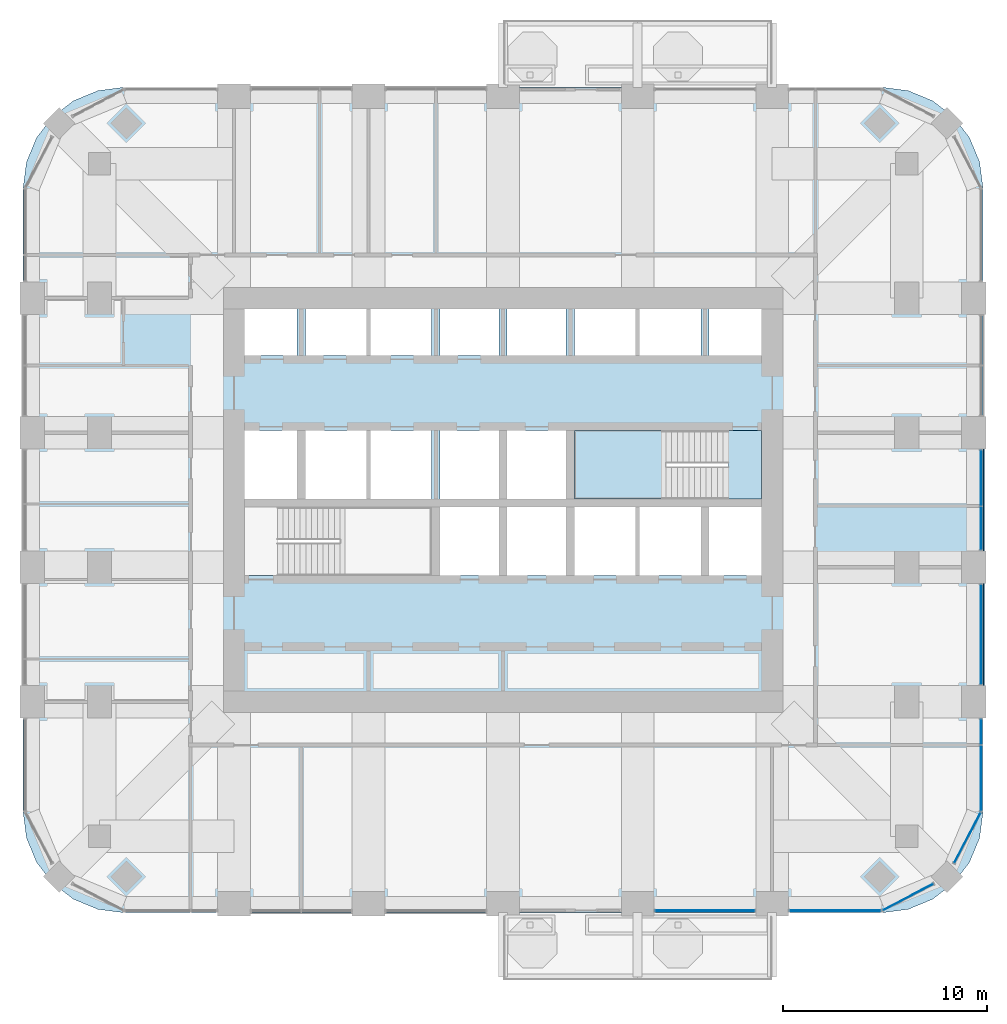
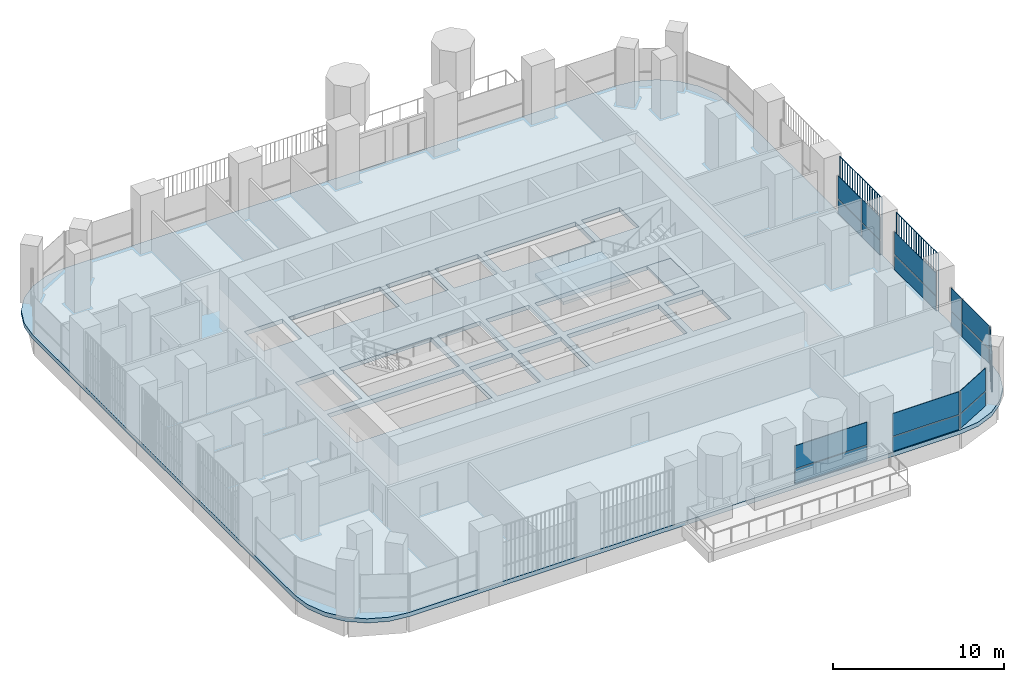
# One storey, part 10 of 19: 20 plates, 3 slabs, 8 elements without a shape of their own.
"""IFC4 building model written with IfcOpenShell, lengths in metres."""

from ifc_helpers import new_model, si_unit, direction, frame, origin, origin_2d, place, context, subcontext, project, spatial, polyline, rectangle, outline, extrude, material, layer, layer_set, type_object, element, aggregate, save


model = new_model("IFC4")

# Units and contexts
model_context = context("Model", 3, precision=1e-05, world=origin(), true_north=direction((0.0, 1.0)))
body_context = subcontext(model_context, "Body", "Model", "MODEL_VIEW")
ifc_project = project(units=[si_unit("LENGTHUNIT", "METRE"), si_unit("AREAUNIT", "SQUARE_METRE"), si_unit("VOLUMEUNIT", "CUBIC_METRE"), si_unit("PLANEANGLEUNIT", "RADIAN"), si_unit("MASSUNIT", "GRAM", prefix="KILO")], contexts=[model_context])

# Site, building, storey
site_placement = place(None, origin())
site = spatial("IfcSite", under=ifc_project, at=site_placement, CompositionType="ELEMENT")
building_placement = place(site_placement, origin())
building = spatial("IfcBuilding", under=site, at=building_placement, Name="Cobogo Forest Laboratory Tower", CompositionType="ELEMENT")
storey_placement = place(building_placement, frame((0.0, 0.0, 206.10009765625)))
storey = spatial("IfcBuildingStorey", under=building, at=storey_placement, Name="L47", CompositionType="ELEMENT", Elevation=206.10009765625)

# Slab
ifc_material_1 = material(Name="Concrete HA-40 (C40/50)", Category="concrete")
ifc_layer_1 = layer(ifc_material_1, 0.300048828125)
ifc_layer_set_1 = layer_set([ifc_layer_1], Name="Floor slab 300")
slab_type_1 = type_object("IfcSlabType", Name="Floor slab 300", PredefinedType="FLOOR", material=ifc_layer_set_1)
slab_1_placement = place(storey_placement, frame((0.0, 0.0, -0.300048828125)))
element("IfcSlab", 1, at=slab_1_placement, inside=storey, type_object=slab_type_1, Name="L47 floor slab", PredefinedType="FLOOR", context=body_context, shape_type="SweptSolid", body=[
    extrude(outline(polyline([(45.0, 2.85009765625), (46.28125, 3.0185546875), (47.47509765625, 3.51318359375), (48.500244140625, 4.2998046875), (49.286865234375, 5.324951171875), (49.78125, 6.518798828125), (49.949951171875, 7.800048828125), (49.949951171875, 38.39990234375), (49.78125, 39.68115234375), (49.286865234375, 40.875), (48.500244140625, 41.900146484375), (47.47509765625, 42.686767578125), (46.28125, 43.181396484375), (45.0, 43.35009765625), (7.800048828125, 43.35009765625), (6.518798828125, 43.181396484375), (5.324951171875, 42.686767578125), (4.2998046875, 41.900146484375), (3.51318359375, 40.875), (3.0185546875, 39.68115234375), (2.85009765625, 38.39990234375), (2.85009765625, 7.800048828125), (3.0185546875, 6.518798828125), (3.51318359375, 5.324951171875), (4.2998046875, 4.2998046875), (5.324951171875, 3.51318359375), (6.518798828125, 3.0185546875), (7.800048828125, 2.85009765625), (45.0, 2.85009765625)]), holes=[polyline([(22.89990234375, 19.39990234375), (13.72509765625, 19.39990234375), (13.72509765625, 22.75), (22.89990234375, 22.75), (22.89990234375, 19.39990234375)]), polyline([(26.199951171875, 19.39990234375), (23.300048828125, 19.39990234375), (23.300048828125, 22.75), (26.199951171875, 22.75), (26.199951171875, 19.39990234375)]), polyline([(29.5, 19.39990234375), (26.60009765625, 19.39990234375), (26.60009765625, 22.75), (29.5, 22.75), (29.5, 19.39990234375)]), polyline([(36.10009765625, 22.75), (36.10009765625, 19.39990234375), (29.89990234375, 19.39990234375), (29.89990234375, 22.75), (36.10009765625, 22.75)]), polyline([(36.5, 19.39990234375), (36.5, 22.75), (39.074951171875, 22.75), (39.074951171875, 19.39990234375), (36.5, 19.39990234375)]), polyline([(16.300048828125, 23.14990234375), (13.72509765625, 23.14990234375), (13.72509765625, 26.5), (16.300048828125, 26.5), (16.300048828125, 23.14990234375)]), polyline([(22.89990234375, 26.5), (22.89990234375, 23.14990234375), (16.699951171875, 23.14990234375), (16.699951171875, 26.5), (22.89990234375, 26.5)]), polyline([(26.199951171875, 23.14990234375), (23.300048828125, 23.14990234375), (23.300048828125, 26.5), (26.199951171875, 26.5), (26.199951171875, 23.14990234375)]), polyline([(26.60009765625, 23.14990234375), (26.60009765625, 26.5), (29.5, 26.5), (29.5, 23.14990234375), (26.60009765625, 23.14990234375)]), polyline([(39.074951171875, 23.14990234375), (29.89990234375, 23.14990234375), (29.89990234375, 26.5), (39.074951171875, 26.5), (39.074951171875, 23.14990234375)]), polyline([(16.300048828125, 30.199951171875), (13.72509765625, 30.199951171875), (13.72509765625, 32.47509765625), (16.300048828125, 32.47509765625), (16.300048828125, 30.199951171875)]), polyline([(22.89990234375, 32.47509765625), (22.89990234375, 30.199951171875), (16.699951171875, 30.199951171875), (16.699951171875, 32.47509765625), (22.89990234375, 32.47509765625)]), polyline([(23.300048828125, 30.199951171875), (23.300048828125, 32.47509765625), (26.199951171875, 32.47509765625), (26.199951171875, 30.199951171875), (23.300048828125, 30.199951171875)]), polyline([(29.5, 30.199951171875), (26.60009765625, 30.199951171875), (26.60009765625, 32.47509765625), (29.5, 32.47509765625), (29.5, 30.199951171875)]), polyline([(36.10009765625, 32.47509765625), (36.10009765625, 30.199951171875), (29.89990234375, 30.199951171875), (29.89990234375, 32.47509765625), (36.10009765625, 32.47509765625)]), polyline([(36.5, 30.199951171875), (36.5, 32.47509765625), (39.074951171875, 32.47509765625), (39.074951171875, 30.199951171875), (36.5, 30.199951171875)])]), origin(), (0.0, 0.0, 1.0), 0.300048828125),
])

# Curtain wall, plates
ifc_material_2 = material(Name="Aluminium curtain wall", Category="aluminium")
curtain_wall_type = type_object("IfcCurtainWallType", Name="CW-2 unitised curtain wall, solar control glazing, laboratory floors zones C and D", PredefinedType="USERDEFINED", material=ifc_material_2)
curtain_wall_1_placement = place(storey_placement, origin())
curtain_wall_1 = element("IfcCurtainWall", 2, at=curtain_wall_1_placement, inside=storey, type_object=curtain_wall_type, Name="Curtain wall 05 L47", ObjectType="UNITISED CURTAIN WALL", PredefinedType="USERDEFINED")
ifc_material_3 = material(Name="Solar control insulated glass", Category="glass")
ifc_layer_2 = layer(ifc_material_3, 0.031982421875)
ifc_layer_set_2 = layer_set([ifc_layer_2], Name="GP-2 solar control glass unit 32")
plate_type_1 = type_object("IfcPlateType", Name="GP-2 solar control glass unit 32", PredefinedType="CURTAIN_PANEL", material=ifc_layer_set_2)
plate_1_placement = place(storey_placement, frame((36.300048828125, 2.949951171875, 0.0), z_axis=(0.0, 0.0, 1.0), x_axis=(1.0, 0.0, 0.0)))
plate_1 = element("IfcPlate", 3, at=plate_1_placement, type_object=plate_type_1, Name="CW-2 panel 1.1", PredefinedType="CURTAIN_PANEL", context=body_context, shape_type="SweptSolid", body=[
    extrude(rectangle(XDim=4.8798828125, YDim=0.031982421875, at=origin_2d()), origin(), (0.0, 0.0, 1.0), 1.02001953125),
])
plate_2_placement = place(storey_placement, frame((36.300048828125, 2.949951171875, 1.079833984375), z_axis=(0.0, 0.0, 1.0), x_axis=(1.0, 0.0, 0.0)))
plate_2 = element("IfcPlate", 4, at=plate_2_placement, type_object=plate_type_1, Name="CW-2 panel 1.2", PredefinedType="CURTAIN_PANEL", context=body_context, shape_type="SweptSolid", body=[
    extrude(rectangle(XDim=4.8798828125, YDim=0.031982421875, at=origin_2d()), origin(), (0.0, 0.0, 1.0), 1.6201171875),
])
aggregate(curtain_wall_1, [plate_1, plate_2])

curtain_wall_2_placement = place(storey_placement, origin())
curtain_wall_2 = element("IfcCurtainWall", 5, at=curtain_wall_2_placement, inside=storey, type_object=curtain_wall_type, Name="Curtain wall 06 L47", ObjectType="UNITISED CURTAIN WALL", PredefinedType="USERDEFINED")
plate_3_placement = place(storey_placement, frame((42.699951171875, 2.949951171875, 0.0), z_axis=(0.0, 0.0, 1.0), x_axis=(1.0, 0.0, 0.0)))
plate_3 = element("IfcPlate", 6, at=plate_3_placement, type_object=plate_type_1, Name="CW-2 panel 1.1", PredefinedType="CURTAIN_PANEL", context=body_context, shape_type="SweptSolid", body=[
    extrude(rectangle(XDim=4.47998046875, YDim=0.031982421875, at=origin_2d()), origin(), (0.0, 0.0, 1.0), 1.02001953125),
])
plate_4_placement = place(storey_placement, frame((42.699951171875, 2.949951171875, 1.079833984375), z_axis=(0.0, 0.0, 1.0), x_axis=(1.0, 0.0, 0.0)))
plate_4 = element("IfcPlate", 7, at=plate_4_placement, type_object=plate_type_1, Name="CW-2 panel 1.2", PredefinedType="CURTAIN_PANEL", context=body_context, shape_type="SweptSolid", body=[
    extrude(rectangle(XDim=4.47998046875, YDim=0.031982421875, at=origin_2d()), origin(), (0.0, 0.0, 1.0), 1.6201171875),
])
aggregate(curtain_wall_2, [plate_3, plate_4])

curtain_wall_3_placement = place(storey_placement, origin())
curtain_wall_3 = element("IfcCurtainWall", 8, at=curtain_wall_3_placement, inside=storey, type_object=curtain_wall_type, Name="Curtain wall 07 L47", ObjectType="UNITISED CURTAIN WALL", PredefinedType="USERDEFINED")
plate_5_placement = place(storey_placement, frame((46.275634765625, 3.61865234375, 0.0), z_axis=(0.0, 0.0, 1.0), x_axis=(0.885686484356, 0.464283804832, 0.0)))
plate_5 = element("IfcPlate", 9, at=plate_5_placement, type_object=plate_type_1, Name="CW-2 panel 1.1", PredefinedType="CURTAIN_PANEL", context=body_context, shape_type="SweptSolid", body=[
    extrude(rectangle(XDim=2.76025390625, YDim=0.031982421875, at=origin_2d()), origin(), (0.0, 0.0, 1.0), 1.02001953125),
])
plate_6_placement = place(storey_placement, frame((46.275634765625, 3.61865234375, 1.079833984375), z_axis=(0.0, 0.0, 1.0), x_axis=(0.885686484356, 0.464283804832, 0.0)))
plate_6 = element("IfcPlate", 10, at=plate_6_placement, type_object=plate_type_1, Name="CW-2 panel 1.2", PredefinedType="CURTAIN_PANEL", context=body_context, shape_type="SweptSolid", body=[
    extrude(rectangle(XDim=2.76025390625, YDim=0.031982421875, at=origin_2d()), origin(), (0.0, 0.0, 1.0), 1.6201171875),
])
aggregate(curtain_wall_3, [plate_5, plate_6])

curtain_wall_4_placement = place(storey_placement, origin())
curtain_wall_4 = element("IfcCurtainWall", 11, at=curtain_wall_4_placement, inside=storey, type_object=curtain_wall_type, Name="Curtain wall 08 L47", ObjectType="UNITISED CURTAIN WALL", PredefinedType="USERDEFINED")
plate_7_placement = place(storey_placement, frame((49.181396484375, 6.5244140625, 0.0), z_axis=(0.0, 0.0, 1.0), x_axis=(0.464283804832, 0.885686484356, 0.0)))
plate_7 = element("IfcPlate", 12, at=plate_7_placement, type_object=plate_type_1, Name="CW-2 panel 1.1", PredefinedType="CURTAIN_PANEL", context=body_context, shape_type="SweptSolid", body=[
    extrude(rectangle(XDim=2.76025390625, YDim=0.031982421875, at=origin_2d()), origin(), (0.0, 0.0, 1.0), 1.02001953125),
])
plate_8_placement = place(storey_placement, frame((49.181396484375, 6.5244140625, 1.079833984375), z_axis=(0.0, 0.0, 1.0), x_axis=(0.464283804832, 0.885686484356, 0.0)))
plate_8 = element("IfcPlate", 13, at=plate_8_placement, type_object=plate_type_1, Name="CW-2 panel 1.2", PredefinedType="CURTAIN_PANEL", context=body_context, shape_type="SweptSolid", body=[
    extrude(rectangle(XDim=2.76025390625, YDim=0.031982421875, at=origin_2d()), origin(), (0.0, 0.0, 1.0), 1.6201171875),
])
aggregate(curtain_wall_4, [plate_7, plate_8])

curtain_wall_5_placement = place(storey_placement, origin())
curtain_wall_5 = element("IfcCurtainWall", 14, at=curtain_wall_5_placement, inside=storey, type_object=curtain_wall_type, Name="Curtain wall 09 L47", ObjectType="UNITISED CURTAIN WALL", PredefinedType="USERDEFINED")
plate_9_placement = place(storey_placement, frame((49.85009765625, 9.452392578125, 0.0), z_axis=(0.0, 0.0, 1.0), x_axis=(0.0, 1.0, 0.0)))
plate_9 = element("IfcPlate", 15, at=plate_9_placement, type_object=plate_type_1, Name="CW-2 panel 1.1", PredefinedType="CURTAIN_PANEL", context=body_context, shape_type="SweptSolid", body=[
    extrude(rectangle(XDim=3.18505859375, YDim=0.031982421875, at=origin_2d()), origin(), (0.0, 0.0, 1.0), 1.02001953125),
])
plate_10_placement = place(storey_placement, frame((49.85009765625, 9.452392578125, 1.079833984375), z_axis=(0.0, 0.0, 1.0), x_axis=(0.0, 1.0, 0.0)))
plate_10 = element("IfcPlate", 16, at=plate_10_placement, type_object=plate_type_1, Name="CW-2 panel 1.2", PredefinedType="CURTAIN_PANEL", context=body_context, shape_type="SweptSolid", body=[
    extrude(rectangle(XDim=3.18505859375, YDim=0.031982421875, at=origin_2d()), origin(), (0.0, 0.0, 1.0), 1.6201171875),
])
plate_11_placement = place(storey_placement, frame((49.85009765625, 11.722412109375, 0.0), z_axis=(0.0, 0.0, 1.0), x_axis=(0.0, 1.0, 0.0)))
plate_11 = element("IfcPlate", 17, at=plate_11_placement, type_object=plate_type_1, Name="CW-2 panel 2.1", PredefinedType="CURTAIN_PANEL", context=body_context, shape_type="SweptSolid", body=[
    extrude(rectangle(XDim=1.235107421875, YDim=0.031982421875, at=origin_2d()), origin(), (0.0, 0.0, 1.0), 1.02001953125),
])
plate_12_placement = place(storey_placement, frame((49.85009765625, 11.722412109375, 1.079833984375), z_axis=(0.0, 0.0, 1.0), x_axis=(0.0, 1.0, 0.0)))
plate_12 = element("IfcPlate", 18, at=plate_12_placement, type_object=plate_type_1, Name="CW-2 panel 2.2", PredefinedType="CURTAIN_PANEL", context=body_context, shape_type="SweptSolid", body=[
    extrude(rectangle(XDim=1.235107421875, YDim=0.031982421875, at=origin_2d()), origin(), (0.0, 0.0, 1.0), 1.6201171875),
])
aggregate(curtain_wall_5, [plate_9, plate_10, plate_11, plate_12])

curtain_wall_6_placement = place(storey_placement, origin())
curtain_wall_6 = element("IfcCurtainWall", 19, at=curtain_wall_6_placement, inside=storey, type_object=curtain_wall_type, Name="Curtain wall 10 L47", ObjectType="UNITISED CURTAIN WALL", PredefinedType="USERDEFINED")
plate_13_placement = place(storey_placement, frame((49.85009765625, 16.5, 0.0), z_axis=(0.0, 0.0, 1.0), x_axis=(0.0, 1.0, 0.0)))
plate_13 = element("IfcPlate", 20, at=plate_13_placement, type_object=plate_type_1, Name="CW-2 panel 1.1", PredefinedType="CURTAIN_PANEL", context=body_context, shape_type="SweptSolid", body=[
    extrude(rectangle(XDim=4.8798828125, YDim=0.031982421875, at=origin_2d()), origin(), (0.0, 0.0, 1.0), 1.02001953125),
])
plate_14_placement = place(storey_placement, frame((49.85009765625, 16.5, 1.079833984375), z_axis=(0.0, 0.0, 1.0), x_axis=(0.0, 1.0, 0.0)))
plate_14 = element("IfcPlate", 21, at=plate_14_placement, type_object=plate_type_1, Name="CW-2 panel 1.2", PredefinedType="CURTAIN_PANEL", context=body_context, shape_type="SweptSolid", body=[
    extrude(rectangle(XDim=4.8798828125, YDim=0.031982421875, at=origin_2d()), origin(), (0.0, 0.0, 1.0), 1.6201171875),
])
aggregate(curtain_wall_6, [plate_13, plate_14])

curtain_wall_7_placement = place(storey_placement, origin())
curtain_wall_7 = element("IfcCurtainWall", 22, at=curtain_wall_7_placement, inside=storey, type_object=curtain_wall_type, Name="Curtain wall 11 L47", ObjectType="UNITISED CURTAIN WALL", PredefinedType="USERDEFINED")
plate_15_placement = place(storey_placement, frame((49.85009765625, 21.715087890625, 0.0), z_axis=(0.0, 0.0, 1.0), x_axis=(0.0, 1.0, 0.0)))
plate_15 = element("IfcPlate", 23, at=plate_15_placement, type_object=plate_type_1, Name="CW-2 panel 1.1", PredefinedType="CURTAIN_PANEL", context=body_context, shape_type="SweptSolid", body=[
    extrude(rectangle(XDim=2.110107421875, YDim=0.031982421875, at=origin_2d()), origin(), (0.0, 0.0, 1.0), 1.02001953125),
])
plate_16_placement = place(storey_placement, frame((49.85009765625, 21.715087890625, 1.079833984375), z_axis=(0.0, 0.0, 1.0), x_axis=(0.0, 1.0, 0.0)))
plate_16 = element("IfcPlate", 24, at=plate_16_placement, type_object=plate_type_1, Name="CW-2 panel 1.2", PredefinedType="CURTAIN_PANEL", context=body_context, shape_type="SweptSolid", body=[
    extrude(rectangle(XDim=2.110107421875, YDim=0.031982421875, at=origin_2d()), origin(), (0.0, 0.0, 1.0), 1.6201171875),
])
plate_17_placement = place(storey_placement, frame((49.85009765625, 24.18505859375, 0.0), z_axis=(0.0, 0.0, 1.0), x_axis=(0.0, 1.0, 0.0)))
plate_17 = element("IfcPlate", 25, at=plate_17_placement, type_object=plate_type_1, Name="CW-2 panel 2.1", PredefinedType="CURTAIN_PANEL", context=body_context, shape_type="SweptSolid", body=[
    extrude(rectangle(XDim=2.7099609375, YDim=0.031982421875, at=origin_2d()), origin(), (0.0, 0.0, 1.0), 1.02001953125),
])
plate_18_placement = place(storey_placement, frame((49.85009765625, 24.18505859375, 1.079833984375), z_axis=(0.0, 0.0, 1.0), x_axis=(0.0, 1.0, 0.0)))
plate_18 = element("IfcPlate", 26, at=plate_18_placement, type_object=plate_type_1, Name="CW-2 panel 2.2", PredefinedType="CURTAIN_PANEL", context=body_context, shape_type="SweptSolid", body=[
    extrude(rectangle(XDim=2.7099609375, YDim=0.031982421875, at=origin_2d()), origin(), (0.0, 0.0, 1.0), 1.6201171875),
])
aggregate(curtain_wall_7, [plate_15, plate_16, plate_17, plate_18])

# Stair, slabs
ifc_material_4 = material(Name="Precast concrete HA-40 (C40/50)", Category="concrete")
stair_type = type_object("IfcStairType", Name="ST24 exit stair 24 risers", PredefinedType="HALF_TURN_STAIR", material=ifc_material_4)
stair_placement = place(storey_placement, origin())
stair = element("IfcStair", 27, at=stair_placement, inside=storey, type_object=stair_type, Name="Stair 2 L47 to L48", PredefinedType="HALF_TURN_STAIR")
ifc_layer_3 = layer(ifc_material_1, 0.199951171875)
ifc_layer_set_3 = layer_set([ifc_layer_3], Name="SL stair landing 200")
slab_type_2 = type_object("IfcSlabType", Name="SL stair landing 200", PredefinedType="LANDING", material=ifc_layer_set_3)
slab_2_placement = place(storey_placement, frame((0.0, 0.0, -0.2001953125)))
slab_2 = element("IfcSlab", 28, at=slab_2_placement, type_object=slab_type_2, Name="ST2 landing 1", PredefinedType="LANDING", context=body_context, shape_type="SweptSolid", body=[
    extrude(outline(polyline([(37.472900390625, 23.14990234375), (39.074951171875, 23.14990234375), (39.074951171875, 26.5), (37.472900390625, 26.5), (37.472900390625, 23.14990234375)])), origin(), (0.0, 0.0, 1.0), 0.2001953125),
])
slab_3_placement = place(storey_placement, frame((0.0, 0.0, 1.89990234375)))
slab_3 = element("IfcSlab", 29, at=slab_3_placement, type_object=slab_type_2, Name="ST2 landing 2", PredefinedType="LANDING", context=body_context, shape_type="SweptSolid", body=[
    extrude(outline(polyline([(29.89990234375, 23.14990234375), (34.39697265625, 23.14990234375), (34.39697265625, 26.5), (29.89990234375, 26.5), (29.89990234375, 23.14990234375)])), origin(), (0.0, 0.0, 1.0), 0.199951171875),
])
aggregate(stair, [slab_2, slab_3])

# Plates
ifc_material_5 = material(Name="Terracotta", Category="masonry")
plate_type_2 = type_object("IfcPlateType", Name="TB1 terracotta baguette screen", PredefinedType="USERDEFINED", material=ifc_material_5)
plate_19_placement = place(storey_placement, frame((49.977783203125, 14.03125, -0.150146484375)))
element("IfcPlate", 30, at=plate_19_placement, inside=storey, type_object=plate_type_2, Name="Baguette screen E1 L47", ObjectType="BAGUETTE SCREEN", PredefinedType="USERDEFINED", context=body_context, shape_type="SweptSolid", body=[
    extrude(outline(polyline([(0.02880859375, 0.011962890625), (0.011962890625, 0.02880859375), (-0.011962890625, 0.02880859375), (-0.02880859375, 0.011962890625), (-0.02880859375, -0.011962890625), (-0.011962890625, -0.02880859375), (0.011962890625, -0.02880859375), (0.02880859375, -0.011962890625), (0.02880859375, 0.011962890625)])), frame((0.0, 0.0, 4.168701171875), z_axis=(0.0, 1.0, 0.0), x_axis=(-1.0, 0.0, 0.0)), (0.0, 0.0, 1.0), 4.9375),
    extrude(outline(polyline([(0.02880859375, 0.011962890625), (0.011962890625, 0.02880859375), (-0.011962890625, 0.02880859375), (-0.02880859375, 0.011962890625), (-0.02880859375, -0.011962890625), (-0.011962890625, -0.02880859375), (0.011962890625, -0.02880859375), (0.02880859375, -0.011962890625), (0.02880859375, 0.011962890625)])), origin(), (0.0, 0.0, 1.0), 4.137451171875),
    extrude(outline(polyline([(0.02880859375, 0.011962890625), (0.011962890625, 0.02880859375), (-0.011962890625, 0.02880859375), (-0.02880859375, 0.011962890625), (-0.02880859375, -0.011962890625), (-0.011962890625, -0.02880859375), (0.011962890625, -0.02880859375), (0.02880859375, -0.011962890625), (0.02880859375, 0.011962890625)])), frame((0.0, 0.29052734375, 0.0)), (0.0, 0.0, 1.0), 4.137451171875),
    extrude(outline(polyline([(0.02880859375, 0.011962890625), (0.011962890625, 0.02880859375), (-0.011962890625, 0.02880859375), (-0.02880859375, 0.011962890625), (-0.02880859375, -0.011962890625), (-0.011962890625, -0.02880859375), (0.011962890625, -0.02880859375), (0.02880859375, -0.011962890625), (0.02880859375, 0.011962890625)])), frame((0.0, 0.580810546875, 0.0)), (0.0, 0.0, 1.0), 4.137451171875),
    extrude(outline(polyline([(0.02880859375, 0.011962890625), (0.011962890625, 0.02880859375), (-0.011962890625, 0.02880859375), (-0.02880859375, 0.011962890625), (-0.02880859375, -0.011962890625), (-0.011962890625, -0.02880859375), (0.011962890625, -0.02880859375), (0.02880859375, -0.011962890625), (0.02880859375, 0.011962890625)])), frame((0.0, 0.871337890625, 0.0)), (0.0, 0.0, 1.0), 4.137451171875),
    extrude(outline(polyline([(0.02880859375, 0.011962890625), (0.011962890625, 0.02880859375), (-0.011962890625, 0.02880859375), (-0.02880859375, 0.011962890625), (-0.02880859375, -0.011962890625), (-0.011962890625, -0.02880859375), (0.011962890625, -0.02880859375), (0.02880859375, -0.011962890625), (0.02880859375, 0.011962890625)])), frame((0.0, 1.161865234375, 0.0)), (0.0, 0.0, 1.0), 4.137451171875),
    extrude(outline(polyline([(0.02880859375, 0.011962890625), (0.011962890625, 0.02880859375), (-0.011962890625, 0.02880859375), (-0.02880859375, 0.011962890625), (-0.02880859375, -0.011962890625), (-0.011962890625, -0.02880859375), (0.011962890625, -0.02880859375), (0.02880859375, -0.011962890625), (0.02880859375, 0.011962890625)])), frame((0.0, 1.4521484375, 0.0)), (0.0, 0.0, 1.0), 4.137451171875),
    extrude(outline(polyline([(0.02880859375, 0.011962890625), (0.011962890625, 0.02880859375), (-0.011962890625, 0.02880859375), (-0.02880859375, 0.011962890625), (-0.02880859375, -0.011962890625), (-0.011962890625, -0.02880859375), (0.011962890625, -0.02880859375), (0.02880859375, -0.011962890625), (0.02880859375, 0.011962890625)])), frame((0.0, 1.74267578125, 0.0)), (0.0, 0.0, 1.0), 4.137451171875),
    extrude(outline(polyline([(0.02880859375, 0.011962890625), (0.011962890625, 0.02880859375), (-0.011962890625, 0.02880859375), (-0.02880859375, 0.011962890625), (-0.02880859375, -0.011962890625), (-0.011962890625, -0.02880859375), (0.011962890625, -0.02880859375), (0.02880859375, -0.011962890625), (0.02880859375, 0.011962890625)])), frame((0.0, 2.033203125, 0.0)), (0.0, 0.0, 1.0), 4.137451171875),
    extrude(outline(polyline([(0.02880859375, 0.011962890625), (0.011962890625, 0.02880859375), (-0.011962890625, 0.02880859375), (-0.02880859375, 0.011962890625), (-0.02880859375, -0.011962890625), (-0.011962890625, -0.02880859375), (0.011962890625, -0.02880859375), (0.02880859375, -0.011962890625), (0.02880859375, 0.011962890625)])), frame((0.0, 2.323486328125, 0.0)), (0.0, 0.0, 1.0), 4.137451171875),
    extrude(outline(polyline([(0.02880859375, 0.011962890625), (0.011962890625, 0.02880859375), (-0.011962890625, 0.02880859375), (-0.02880859375, 0.011962890625), (-0.02880859375, -0.011962890625), (-0.011962890625, -0.02880859375), (0.011962890625, -0.02880859375), (0.02880859375, -0.011962890625), (0.02880859375, 0.011962890625)])), frame((0.0, 2.614013671875, 0.0)), (0.0, 0.0, 1.0), 4.137451171875),
    extrude(outline(polyline([(0.02880859375, 0.011962890625), (0.011962890625, 0.02880859375), (-0.011962890625, 0.02880859375), (-0.02880859375, 0.011962890625), (-0.02880859375, -0.011962890625), (-0.011962890625, -0.02880859375), (0.011962890625, -0.02880859375), (0.02880859375, -0.011962890625), (0.02880859375, 0.011962890625)])), frame((0.0, 2.904296875, 0.0)), (0.0, 0.0, 1.0), 4.137451171875),
    extrude(outline(polyline([(0.02880859375, 0.011962890625), (0.011962890625, 0.02880859375), (-0.011962890625, 0.02880859375), (-0.02880859375, 0.011962890625), (-0.02880859375, -0.011962890625), (-0.011962890625, -0.02880859375), (0.011962890625, -0.02880859375), (0.02880859375, -0.011962890625), (0.02880859375, 0.011962890625)])), frame((0.0, 3.19482421875, 0.0)), (0.0, 0.0, 1.0), 4.137451171875),
    extrude(outline(polyline([(0.02880859375, 0.011962890625), (0.011962890625, 0.02880859375), (-0.011962890625, 0.02880859375), (-0.02880859375, 0.011962890625), (-0.02880859375, -0.011962890625), (-0.011962890625, -0.02880859375), (0.011962890625, -0.02880859375), (0.02880859375, -0.011962890625), (0.02880859375, 0.011962890625)])), frame((0.0, 3.4853515625, 0.0)), (0.0, 0.0, 1.0), 4.137451171875),
    extrude(outline(polyline([(0.02880859375, 0.011962890625), (0.011962890625, 0.02880859375), (-0.011962890625, 0.02880859375), (-0.02880859375, 0.011962890625), (-0.02880859375, -0.011962890625), (-0.011962890625, -0.02880859375), (0.011962890625, -0.02880859375), (0.02880859375, -0.011962890625), (0.02880859375, 0.011962890625)])), frame((0.0, 3.775634765625, 0.0)), (0.0, 0.0, 1.0), 4.137451171875),
    extrude(outline(polyline([(0.02880859375, 0.011962890625), (0.011962890625, 0.02880859375), (-0.011962890625, 0.02880859375), (-0.02880859375, 0.011962890625), (-0.02880859375, -0.011962890625), (-0.011962890625, -0.02880859375), (0.011962890625, -0.02880859375), (0.02880859375, -0.011962890625), (0.02880859375, 0.011962890625)])), frame((0.0, 4.066162109375, 0.0)), (0.0, 0.0, 1.0), 4.137451171875),
    extrude(outline(polyline([(0.02880859375, 0.011962890625), (0.011962890625, 0.02880859375), (-0.011962890625, 0.02880859375), (-0.02880859375, 0.011962890625), (-0.02880859375, -0.011962890625), (-0.011962890625, -0.02880859375), (0.011962890625, -0.02880859375), (0.02880859375, -0.011962890625), (0.02880859375, 0.011962890625)])), frame((0.0, 4.356689453125, 0.0)), (0.0, 0.0, 1.0), 4.137451171875),
    extrude(outline(polyline([(0.02880859375, 0.011962890625), (0.011962890625, 0.02880859375), (-0.011962890625, 0.02880859375), (-0.02880859375, 0.011962890625), (-0.02880859375, -0.011962890625), (-0.011962890625, -0.02880859375), (0.011962890625, -0.02880859375), (0.02880859375, -0.011962890625), (0.02880859375, 0.011962890625)])), frame((0.0, 4.64697265625, 0.0)), (0.0, 0.0, 1.0), 4.137451171875),
    extrude(outline(polyline([(0.02880859375, 0.011962890625), (0.011962890625, 0.02880859375), (-0.011962890625, 0.02880859375), (-0.02880859375, 0.011962890625), (-0.02880859375, -0.011962890625), (-0.011962890625, -0.02880859375), (0.011962890625, -0.02880859375), (0.02880859375, -0.011962890625), (0.02880859375, 0.011962890625)])), frame((0.0, 4.9375, 0.0)), (0.0, 0.0, 1.0), 4.137451171875),
])
plate_20_placement = place(storey_placement, frame((49.977783203125, 20.63134765625, -0.150146484375)))
element("IfcPlate", 31, at=plate_20_placement, inside=storey, type_object=plate_type_2, Name="Baguette screen E2 L47", ObjectType="BAGUETTE SCREEN", PredefinedType="USERDEFINED", context=body_context, shape_type="SweptSolid", body=[
    extrude(outline(polyline([(0.02880859375, 0.011962890625), (0.011962890625, 0.02880859375), (-0.011962890625, 0.02880859375), (-0.02880859375, 0.011962890625), (-0.02880859375, -0.011962890625), (-0.011962890625, -0.02880859375), (0.011962890625, -0.02880859375), (0.02880859375, -0.011962890625), (0.02880859375, 0.011962890625)])), frame((0.0, 0.0, 4.168701171875), z_axis=(0.0, 1.0, 0.0), x_axis=(-1.0, 0.0, 0.0)), (0.0, 0.0, 1.0), 4.9375),
    extrude(outline(polyline([(0.02880859375, 0.011962890625), (0.011962890625, 0.02880859375), (-0.011962890625, 0.02880859375), (-0.02880859375, 0.011962890625), (-0.02880859375, -0.011962890625), (-0.011962890625, -0.02880859375), (0.011962890625, -0.02880859375), (0.02880859375, -0.011962890625), (0.02880859375, 0.011962890625)])), origin(), (0.0, 0.0, 1.0), 4.137451171875),
    extrude(outline(polyline([(0.02880859375, 0.011962890625), (0.011962890625, 0.02880859375), (-0.011962890625, 0.02880859375), (-0.02880859375, 0.011962890625), (-0.02880859375, -0.011962890625), (-0.011962890625, -0.02880859375), (0.011962890625, -0.02880859375), (0.02880859375, -0.011962890625), (0.02880859375, 0.011962890625)])), frame((0.0, 0.29052734375, 0.0)), (0.0, 0.0, 1.0), 4.137451171875),
    extrude(outline(polyline([(0.02880859375, 0.011962890625), (0.011962890625, 0.02880859375), (-0.011962890625, 0.02880859375), (-0.02880859375, 0.011962890625), (-0.02880859375, -0.011962890625), (-0.011962890625, -0.02880859375), (0.011962890625, -0.02880859375), (0.02880859375, -0.011962890625), (0.02880859375, 0.011962890625)])), frame((0.0, 0.580810546875, 0.0)), (0.0, 0.0, 1.0), 4.137451171875),
    extrude(outline(polyline([(0.02880859375, 0.011962890625), (0.011962890625, 0.02880859375), (-0.011962890625, 0.02880859375), (-0.02880859375, 0.011962890625), (-0.02880859375, -0.011962890625), (-0.011962890625, -0.02880859375), (0.011962890625, -0.02880859375), (0.02880859375, -0.011962890625), (0.02880859375, 0.011962890625)])), frame((0.0, 0.871337890625, 0.0)), (0.0, 0.0, 1.0), 4.137451171875),
    extrude(outline(polyline([(0.02880859375, 0.011962890625), (0.011962890625, 0.02880859375), (-0.011962890625, 0.02880859375), (-0.02880859375, 0.011962890625), (-0.02880859375, -0.011962890625), (-0.011962890625, -0.02880859375), (0.011962890625, -0.02880859375), (0.02880859375, -0.011962890625), (0.02880859375, 0.011962890625)])), frame((0.0, 1.161865234375, 0.0)), (0.0, 0.0, 1.0), 4.137451171875),
    extrude(outline(polyline([(0.02880859375, 0.011962890625), (0.011962890625, 0.02880859375), (-0.011962890625, 0.02880859375), (-0.02880859375, 0.011962890625), (-0.02880859375, -0.011962890625), (-0.011962890625, -0.02880859375), (0.011962890625, -0.02880859375), (0.02880859375, -0.011962890625), (0.02880859375, 0.011962890625)])), frame((0.0, 1.4521484375, 0.0)), (0.0, 0.0, 1.0), 4.137451171875),
    extrude(outline(polyline([(0.02880859375, 0.011962890625), (0.011962890625, 0.02880859375), (-0.011962890625, 0.02880859375), (-0.02880859375, 0.011962890625), (-0.02880859375, -0.011962890625), (-0.011962890625, -0.02880859375), (0.011962890625, -0.02880859375), (0.02880859375, -0.011962890625), (0.02880859375, 0.011962890625)])), frame((0.0, 1.74267578125, 0.0)), (0.0, 0.0, 1.0), 4.137451171875),
    extrude(outline(polyline([(0.02880859375, 0.011962890625), (0.011962890625, 0.02880859375), (-0.011962890625, 0.02880859375), (-0.02880859375, 0.011962890625), (-0.02880859375, -0.011962890625), (-0.011962890625, -0.02880859375), (0.011962890625, -0.02880859375), (0.02880859375, -0.011962890625), (0.02880859375, 0.011962890625)])), frame((0.0, 2.033203125, 0.0)), (0.0, 0.0, 1.0), 4.137451171875),
    extrude(outline(polyline([(0.02880859375, 0.011962890625), (0.011962890625, 0.02880859375), (-0.011962890625, 0.02880859375), (-0.02880859375, 0.011962890625), (-0.02880859375, -0.011962890625), (-0.011962890625, -0.02880859375), (0.011962890625, -0.02880859375), (0.02880859375, -0.011962890625), (0.02880859375, 0.011962890625)])), frame((0.0, 2.323486328125, 0.0)), (0.0, 0.0, 1.0), 4.137451171875),
    extrude(outline(polyline([(0.02880859375, 0.011962890625), (0.011962890625, 0.02880859375), (-0.011962890625, 0.02880859375), (-0.02880859375, 0.011962890625), (-0.02880859375, -0.011962890625), (-0.011962890625, -0.02880859375), (0.011962890625, -0.02880859375), (0.02880859375, -0.011962890625), (0.02880859375, 0.011962890625)])), frame((0.0, 2.614013671875, 0.0)), (0.0, 0.0, 1.0), 4.137451171875),
    extrude(outline(polyline([(0.02880859375, 0.011962890625), (0.011962890625, 0.02880859375), (-0.011962890625, 0.02880859375), (-0.02880859375, 0.011962890625), (-0.02880859375, -0.011962890625), (-0.011962890625, -0.02880859375), (0.011962890625, -0.02880859375), (0.02880859375, -0.011962890625), (0.02880859375, 0.011962890625)])), frame((0.0, 2.904296875, 0.0)), (0.0, 0.0, 1.0), 4.137451171875),
    extrude(outline(polyline([(0.02880859375, 0.011962890625), (0.011962890625, 0.02880859375), (-0.011962890625, 0.02880859375), (-0.02880859375, 0.011962890625), (-0.02880859375, -0.011962890625), (-0.011962890625, -0.02880859375), (0.011962890625, -0.02880859375), (0.02880859375, -0.011962890625), (0.02880859375, 0.011962890625)])), frame((0.0, 3.19482421875, 0.0)), (0.0, 0.0, 1.0), 4.137451171875),
    extrude(outline(polyline([(0.02880859375, 0.011962890625), (0.011962890625, 0.02880859375), (-0.011962890625, 0.02880859375), (-0.02880859375, 0.011962890625), (-0.02880859375, -0.011962890625), (-0.011962890625, -0.02880859375), (0.011962890625, -0.02880859375), (0.02880859375, -0.011962890625), (0.02880859375, 0.011962890625)])), frame((0.0, 3.4853515625, 0.0)), (0.0, 0.0, 1.0), 4.137451171875),
    extrude(outline(polyline([(0.02880859375, 0.011962890625), (0.011962890625, 0.02880859375), (-0.011962890625, 0.02880859375), (-0.02880859375, 0.011962890625), (-0.02880859375, -0.011962890625), (-0.011962890625, -0.02880859375), (0.011962890625, -0.02880859375), (0.02880859375, -0.011962890625), (0.02880859375, 0.011962890625)])), frame((0.0, 3.775634765625, 0.0)), (0.0, 0.0, 1.0), 4.137451171875),
    extrude(outline(polyline([(0.02880859375, 0.011962890625), (0.011962890625, 0.02880859375), (-0.011962890625, 0.02880859375), (-0.02880859375, 0.011962890625), (-0.02880859375, -0.011962890625), (-0.011962890625, -0.02880859375), (0.011962890625, -0.02880859375), (0.02880859375, -0.011962890625), (0.02880859375, 0.011962890625)])), frame((0.0, 4.066162109375, 0.0)), (0.0, 0.0, 1.0), 4.137451171875),
    extrude(outline(polyline([(0.02880859375, 0.011962890625), (0.011962890625, 0.02880859375), (-0.011962890625, 0.02880859375), (-0.02880859375, 0.011962890625), (-0.02880859375, -0.011962890625), (-0.011962890625, -0.02880859375), (0.011962890625, -0.02880859375), (0.02880859375, -0.011962890625), (0.02880859375, 0.011962890625)])), frame((0.0, 4.356689453125, 0.0)), (0.0, 0.0, 1.0), 4.137451171875),
    extrude(outline(polyline([(0.02880859375, 0.011962890625), (0.011962890625, 0.02880859375), (-0.011962890625, 0.02880859375), (-0.02880859375, 0.011962890625), (-0.02880859375, -0.011962890625), (-0.011962890625, -0.02880859375), (0.011962890625, -0.02880859375), (0.02880859375, -0.011962890625), (0.02880859375, 0.011962890625)])), frame((0.0, 4.64697265625, 0.0)), (0.0, 0.0, 1.0), 4.137451171875),
    extrude(outline(polyline([(0.02880859375, 0.011962890625), (0.011962890625, 0.02880859375), (-0.011962890625, 0.02880859375), (-0.02880859375, 0.011962890625), (-0.02880859375, -0.011962890625), (-0.011962890625, -0.02880859375), (0.011962890625, -0.02880859375), (0.02880859375, -0.011962890625), (0.02880859375, 0.011962890625)])), frame((0.0, 4.9375, 0.0)), (0.0, 0.0, 1.0), 4.137451171875),
])

save(model, "model.ifc")
